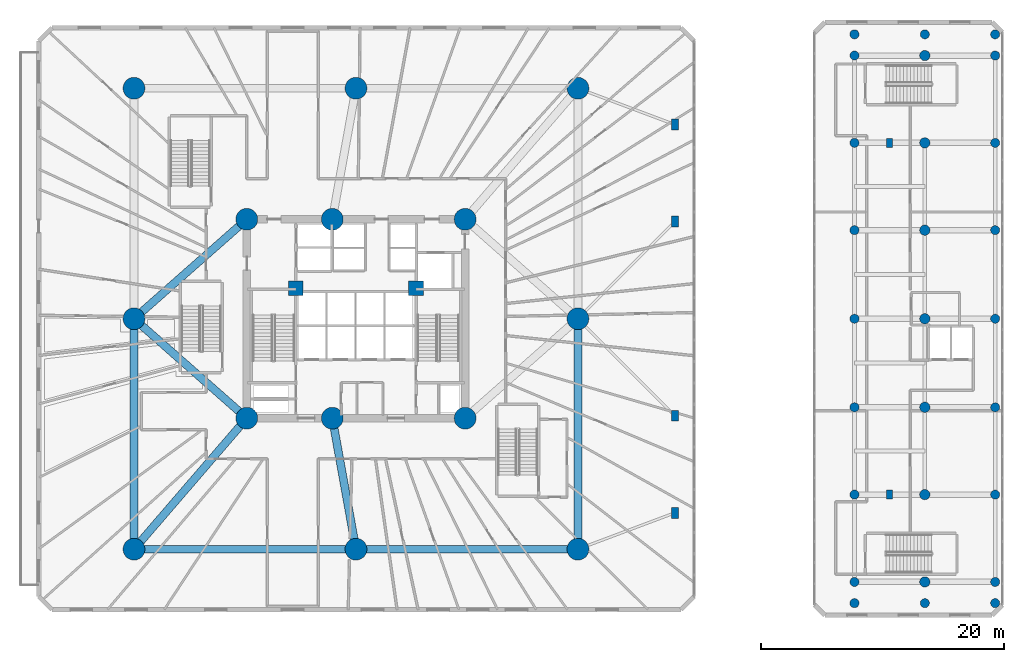
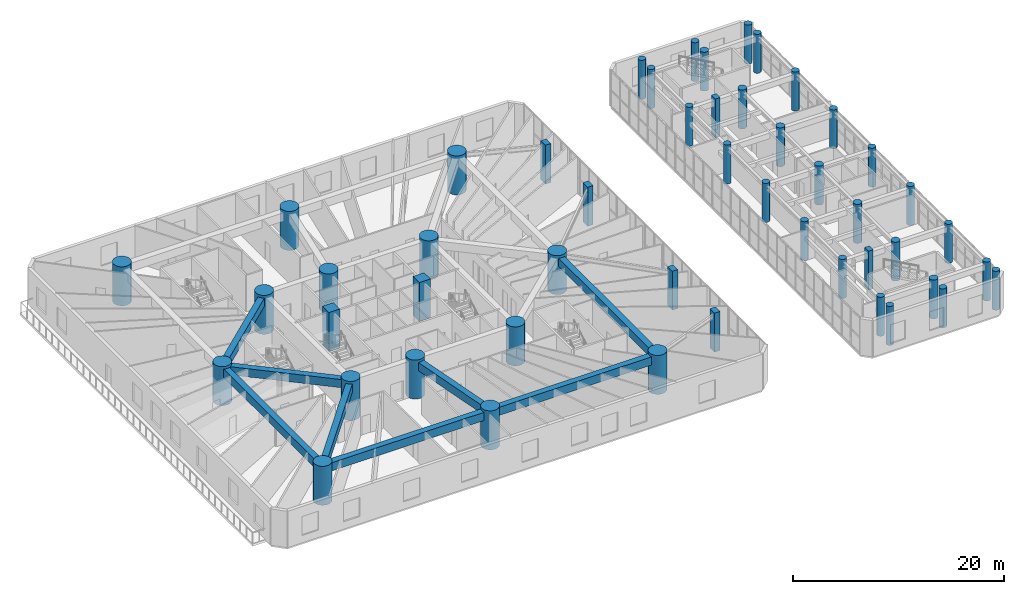
# One storey, part 1 of 26: 49 columns, 8 beams.
"""IFC4 building model written with IfcOpenShell, lengths in metres."""

from ifc_helpers import new_model, si_unit, direction, frame, origin, origin_with_axes, origin_2d, place, context, subcontext, project, spatial, rectangle, circle, extrude, source, transform, mapped, material, material_profile, profile_set, type_object, element, save


model = new_model("IFC4")

# Units and contexts
model_context = context("Model", 3, precision=1e-05, world=origin(), true_north=direction((0.0, 1.0)))
body_context = subcontext(model_context, "Body", "Model", "MODEL_VIEW")
ifc_project = project(units=[si_unit("LENGTHUNIT", "METRE"), si_unit("AREAUNIT", "SQUARE_METRE"), si_unit("VOLUMEUNIT", "CUBIC_METRE"), si_unit("PLANEANGLEUNIT", "RADIAN"), si_unit("MASSUNIT", "GRAM", prefix="KILO")], contexts=[model_context])

# Site, building, storey
site_placement = place(None, origin())
site = spatial("IfcSite", under=ifc_project, at=site_placement, CompositionType="ELEMENT")
building_placement = place(site_placement, origin())
building = spatial("IfcBuilding", under=site, at=building_placement, Name="Karkom Vertical University and Central Library", CompositionType="ELEMENT")
storey_placement = place(building_placement, frame((0.0, 0.0, 4.5)))
storey = spatial("IfcBuildingStorey", under=building, at=storey_placement, Name="L01", CompositionType="ELEMENT", Elevation=4.5)

# Columns
ifc_material_1 = material(Name="Concrete C40/50", Category="concrete")
ifc_material_profile_1 = material_profile(ifc_material_1, circle(Radius=0.375, at=origin_2d()), Name="RC-D750")
ifc_profile_set_1 = profile_set([ifc_material_profile_1], Name="Concrete C40/50")
column_type_1 = type_object("IfcColumnType", Name="STR-COL-C-LB2", PredefinedType="COLUMN", material=ifc_profile_set_1)
shared_shape_1 = source(origin_with_axes(), body_context, "Body", "SweptSolid", [
    extrude(circle(Radius=0.375, at=origin_2d()), origin(), (0.0, 0.0, 1.0), 4.5),
])
for number, where, z_axis, x_axis, name in (
    (1, (69.60009765625, 3.050048828125, 0.0), (0.0, 0.0, 1.0), (1.0, 0.0, 0.0), "Level 01 Library Vault End Column"),
    (2, (69.60009765625, 49.949951171875, 0.0), (0.0, 0.0, 1.0), (1.0, 0.0, 0.0), "Level 01 Library Vault End Column"),
    (3, (75.39990234375, 3.050048828125, 0.0), (0.0, 0.0, 1.0), (1.0, 0.0, 0.0), "Level 01 Library Vault End Column"),
    (4, (75.39990234375, 49.949951171875, 0.0), (0.0, 0.0, 1.0), (1.0, 0.0, 0.0), "Level 01 Library Vault End Column"),
    (5, (81.199951171875, 3.050048828125, 0.0), (0.0, 0.0, 1.0), (1.0, 0.0, 0.0), "Level 01 Library Vault End Column"),
    (6, (81.199951171875, 49.949951171875, 0.0), (0.0, 0.0, 1.0), (1.0, 0.0, 0.0), "Level 01 Library Vault End Column"),
    (7, (69.60009765625, 4.800048828125, 0.0), (0.0, 0.0, 1.0), (1.0, 0.0, 0.0), "Level 01 Central Library Column LC-1-1"),
    (8, (69.60009765625, 12.0, 0.0), (0.0, 0.0, 1.0), (1.0, 0.0, 0.0), "Level 01 Central Library Column LC-1-2"),
    (9, (69.60009765625, 19.199951171875, 0.0), (0.0, 0.0, 1.0), (1.0, 0.0, 0.0), "Level 01 Central Library Column LC-1-3"),
    (10, (69.60009765625, 26.5, 0.0), (0.0, 0.0, 1.0), (1.0, 0.0, 0.0), "Level 01 Central Library Column LC-1-4"),
    (11, (69.60009765625, 33.800048828125, 0.0), (0.0, 0.0, 1.0), (1.0, 0.0, 0.0), "Level 01 Central Library Column LC-1-5"),
    (12, (69.60009765625, 41.0, 0.0), (0.0, 0.0, 1.0), (1.0, 0.0, 0.0), "Level 01 Central Library Column LC-1-6"),
    (13, (69.60009765625, 48.199951171875, 0.0), (0.0, 0.0, 1.0), (1.0, 0.0, 0.0), "Level 01 Central Library Column LC-1-7"),
    (14, (81.199951171875, 4.800048828125, 0.0), (0.0, 0.0, 1.0), (1.0, 0.0, 0.0), "Level 01 Central Library Column LC-3-1"),
    (15, (81.199951171875, 12.0, 0.0), (0.0, 0.0, 1.0), (1.0, 0.0, 0.0), "Level 01 Central Library Column LC-3-2"),
    (16, (81.199951171875, 19.199951171875, 0.0), (0.0, 0.0, 1.0), (1.0, 0.0, 0.0), "Level 01 Central Library Column LC-3-3"),
    (17, (81.199951171875, 26.5, 0.0), (0.0, 0.0, 1.0), (1.0, 0.0, 0.0), "Level 01 Central Library Column LC-3-4"),
    (18, (81.199951171875, 33.800048828125, 0.0), (0.0, 0.0, 1.0), (1.0, 0.0, 0.0), "Level 01 Central Library Column LC-3-5"),
    (19, (81.199951171875, 41.0, 0.0), (0.0, 0.0, 1.0), (1.0, 0.0, 0.0), "Level 01 Central Library Column LC-3-6"),
    (20, (81.199951171875, 48.199951171875, 0.0), (0.0, 0.0, 1.0), (1.0, 0.0, 0.0), "Level 01 Central Library Column LC-3-7"),
):
    element("IfcColumn", number, at=place(storey_placement, frame(where, z_axis=z_axis, x_axis=x_axis)), inside=storey, type_object=column_type_1, Name=name, PredefinedType="COLUMN", context=body_context, shape_type="MappedRepresentation", body=[
        mapped(shared_shape_1, transform((0.0, 0.0, 0.0), scale=1.0)),
    ])
ifc_material_2 = material(Name="Concrete C50/60", Category="concrete")
ifc_material_profile_2 = material_profile(ifc_material_2, circle(Radius=0.89990234375, at=origin_2d()), Name="CFT-D1800")
ifc_profile_set_2 = profile_set([ifc_material_profile_2], Name="Concrete C50/60")
column_type_2 = type_object("IfcColumnType", Name="STR-COL-C-SC1", PredefinedType="COLUMN", material=ifc_profile_set_2)
shared_shape_2 = source(origin_with_axes(), body_context, "Body", "SweptSolid", [
    extrude(circle(Radius=0.89990234375, at=origin_2d()), origin(), (0.0, 0.0, 1.0), 4.5),
])
for number, where, z_axis, x_axis, name in (
    (21, (19.5, 18.300048828125, 0.0), (0.0, 0.0, 1.0), (1.0, 0.0, 0.0), "Level 01 Spine Mega-Column SC-1"),
    (22, (26.550048828125, 18.300048828125, 0.0), (0.0, 0.0, 1.0), (1.0, 0.0, 0.0), "Level 01 Spine Mega-Column SC-2"),
    (23, (37.5, 18.300048828125, 0.0), (0.0, 0.0, 1.0), (1.0, 0.0, 0.0), "Level 01 Spine Mega-Column SC-3"),
    (24, (19.5, 34.699951171875, 0.0), (0.0, 0.0, 1.0), (1.0, 0.0, 0.0), "Level 01 Spine Mega-Column SC-4"),
    (25, (26.550048828125, 34.699951171875, 0.0), (0.0, 0.0, 1.0), (1.0, 0.0, 0.0), "Level 01 Spine Mega-Column SC-5"),
    (26, (37.5, 34.699951171875, 0.0), (0.0, 0.0, 1.0), (1.0, 0.0, 0.0), "Level 01 Spine Mega-Column SC-6"),
    (27, (10.199951171875, 7.5, 0.0), (0.0, 0.0, 1.0), (1.0, 0.0, 0.0), "Level 01 Podium Mega-Column PMC-1"),
    (28, (28.5, 7.5, 0.0), (0.0, 0.0, 1.0), (1.0, 0.0, 0.0), "Level 01 Podium Mega-Column PMC-2"),
    (29, (46.800048828125, 7.5, 0.0), (0.0, 0.0, 1.0), (1.0, 0.0, 0.0), "Level 01 Podium Mega-Column PMC-3"),
    (30, (10.199951171875, 26.5, 0.0), (0.0, 0.0, 1.0), (1.0, 0.0, 0.0), "Level 01 Podium Mega-Column PMC-4"),
    (31, (46.800048828125, 26.5, 0.0), (0.0, 0.0, 1.0), (1.0, 0.0, 0.0), "Level 01 Podium Mega-Column PMC-5"),
    (32, (10.199951171875, 45.5, 0.0), (0.0, 0.0, 1.0), (1.0, 0.0, 0.0), "Level 01 Podium Mega-Column PMC-6"),
    (33, (28.5, 45.5, 0.0), (0.0, 0.0, 1.0), (1.0, 0.0, 0.0), "Level 01 Podium Mega-Column PMC-7"),
    (34, (46.800048828125, 45.5, 0.0), (0.0, 0.0, 1.0), (1.0, 0.0, 0.0), "Level 01 Podium Mega-Column PMC-8"),
):
    element("IfcColumn", number, at=place(storey_placement, frame(where, z_axis=z_axis, x_axis=x_axis)), inside=storey, type_object=column_type_2, Name=name, PredefinedType="COLUMN", context=body_context, shape_type="MappedRepresentation", body=[
        mapped(shared_shape_2, transform((0.0, 0.0, 0.0), scale=1.0)),
    ])
ifc_material_profile_3 = material_profile(ifc_material_2, rectangle(XDim=1.199951171875, YDim=1.199951171875, at=origin_2d()), Name="RC-1200x1200")
ifc_profile_set_3 = profile_set([ifc_material_profile_3], Name="Concrete C50/60")
column_type_3 = type_object("IfcColumnType", Name="STR-COL-C-CC1", PredefinedType="COLUMN", material=ifc_profile_set_3)
shared_shape_3 = source(origin_with_axes(), body_context, "Body", "SweptSolid", [
    extrude(rectangle(XDim=1.199951171875, YDim=1.199951171875, at=origin_2d()), origin(), (0.0, 0.0, 1.0), 4.5),
])
for number, where, z_axis, x_axis, name in (
    (35, (23.550048828125, 29.0, 0.0), (0.0, 0.0, 1.0), (1.0, 0.0, 0.0), "Level 01 Core Node Column CC-1"),
    (36, (33.449951171875, 29.0, 0.0), (0.0, 0.0, 1.0), (1.0, 0.0, 0.0), "Level 01 Core Node Column CC-2"),
):
    element("IfcColumn", number, at=place(storey_placement, frame(where, z_axis=z_axis, x_axis=x_axis)), inside=storey, type_object=column_type_3, Name=name, PredefinedType="COLUMN", context=body_context, shape_type="MappedRepresentation", body=[
        mapped(shared_shape_3, transform((0.0, 0.0, 0.0), scale=1.0)),
    ])
ifc_material_3 = material(Name="Precast concrete C45/55", Category="concrete")
ifc_material_profile_4 = material_profile(ifc_material_3, rectangle(XDim=0.60009765625, YDim=0.89990234375, at=origin_2d()), Name="PIL-600x900")
ifc_profile_set_4 = profile_set([ifc_material_profile_4], Name="Precast concrete C45/55")
column_type_4 = type_object("IfcColumnType", Name="STR-COL-PL-ARC1", PredefinedType="PILASTER", material=ifc_profile_set_4)
shared_shape_4 = source(origin_with_axes(), body_context, "Body", "SweptSolid", [
    extrude(rectangle(XDim=0.60009765625, YDim=0.89990234375, at=origin_2d()), origin(), (0.0, 0.0, 1.0), 4.5),
])
for number, where, z_axis, x_axis, name in (
    (37, (54.800048828125, 10.5, 0.0), (0.0, 0.0, 1.0), (1.0, 0.0, 0.0), "Level 01 Podium Arcade Pilaster PIL-1"),
    (38, (54.800048828125, 18.5, 0.0), (0.0, 0.0, 1.0), (1.0, 0.0, 0.0), "Level 01 Podium Arcade Pilaster PIL-2"),
    (39, (54.800048828125, 34.5, 0.0), (0.0, 0.0, 1.0), (1.0, 0.0, 0.0), "Level 01 Podium Arcade Pilaster PIL-3"),
    (40, (54.800048828125, 42.5, 0.0), (0.0, 0.0, 1.0), (1.0, 0.0, 0.0), "Level 01 Podium Arcade Pilaster PIL-4"),
):
    element("IfcColumn", number, at=place(storey_placement, frame(where, z_axis=z_axis, x_axis=x_axis)), inside=storey, type_object=column_type_4, Name=name, PredefinedType="PILASTER", context=body_context, shape_type="MappedRepresentation", body=[
        mapped(shared_shape_4, transform((0.0, 0.0, 0.0), scale=1.0)),
    ])
ifc_material_4 = material(Name="Concrete C45/55", Category="concrete")
ifc_material_profile_5 = material_profile(ifc_material_4, circle(Radius=0.425048828125, at=origin_2d()), Name="RC-D850")
ifc_profile_set_5 = profile_set([ifc_material_profile_5], Name="Concrete C45/55")
column_type_5 = type_object("IfcColumnType", Name="STR-COL-C-LB1", PredefinedType="COLUMN", material=ifc_profile_set_5)
shared_shape_5 = source(origin_with_axes(), body_context, "Body", "SweptSolid", [
    extrude(circle(Radius=0.425048828125, at=origin_2d()), origin(), (0.0, 0.0, 1.0), 4.5),
])
for number, where, z_axis, x_axis, name in (
    (41, (75.39990234375, 4.800048828125, 0.0), (0.0, 0.0, 1.0), (1.0, 0.0, 0.0), "Level 01 Central Library Column LC-2-1"),
    (42, (75.39990234375, 12.0, 0.0), (0.0, 0.0, 1.0), (1.0, 0.0, 0.0), "Level 01 Central Library Column LC-2-2"),
    (43, (75.39990234375, 19.199951171875, 0.0), (0.0, 0.0, 1.0), (1.0, 0.0, 0.0), "Level 01 Central Library Column LC-2-3"),
    (44, (75.39990234375, 26.5, 0.0), (0.0, 0.0, 1.0), (1.0, 0.0, 0.0), "Level 01 Central Library Column LC-2-4"),
    (45, (75.39990234375, 33.800048828125, 0.0), (0.0, 0.0, 1.0), (1.0, 0.0, 0.0), "Level 01 Central Library Column LC-2-5"),
    (46, (75.39990234375, 41.0, 0.0), (0.0, 0.0, 1.0), (1.0, 0.0, 0.0), "Level 01 Central Library Column LC-2-6"),
    (47, (75.39990234375, 48.199951171875, 0.0), (0.0, 0.0, 1.0), (1.0, 0.0, 0.0), "Level 01 Central Library Column LC-2-7"),
):
    element("IfcColumn", number, at=place(storey_placement, frame(where, z_axis=z_axis, x_axis=x_axis)), inside=storey, type_object=column_type_5, Name=name, PredefinedType="COLUMN", context=body_context, shape_type="MappedRepresentation", body=[
        mapped(shared_shape_5, transform((0.0, 0.0, 0.0), scale=1.0)),
    ])
ifc_material_profile_6 = material_profile(ifc_material_3, rectangle(XDim=0.5, YDim=0.75, at=origin_2d()), Name="PIL-500x750")
ifc_profile_set_6 = profile_set([ifc_material_profile_6], Name="Precast concrete C45/55")
column_type_6 = type_object("IfcColumnType", Name="STR-COL-PL-SKG1", PredefinedType="PILASTER", material=ifc_profile_set_6)
shared_shape_6 = source(origin_with_axes(), body_context, "Body", "SweptSolid", [
    extrude(rectangle(XDim=0.5, YDim=0.75, at=origin_2d()), origin(), (0.0, 0.0, 1.0), 4.5),
])
for number, where, z_axis, x_axis, name in (
    (48, (72.5, 12.0, 0.0), (0.0, 0.0, 1.0), (1.0, 0.0, 0.0), "Level 01 Library Reading Hall Pier Pilaster 1"),
    (49, (72.5, 41.0, 0.0), (0.0, 0.0, 1.0), (1.0, 0.0, 0.0), "Level 01 Library Reading Hall Pier Pilaster 2"),
):
    element("IfcColumn", number, at=place(storey_placement, frame(where, z_axis=z_axis, x_axis=x_axis)), inside=storey, type_object=column_type_6, Name=name, PredefinedType="PILASTER", context=body_context, shape_type="MappedRepresentation", body=[
        mapped(shared_shape_6, transform((0.0, 0.0, 0.0), scale=1.0)),
    ])

# Beams
ifc_material_profile_7 = material_profile(ifc_material_2, rectangle(XDim=0.64990234375, YDim=0.949951171875, at=origin_2d()), Name="RCG-650x950")
ifc_profile_set_7 = profile_set([ifc_material_profile_7], Name="Concrete C50/60")
beam_type = type_object("IfcBeamType", Name="STR-BM-BG-1", PredefinedType="USERDEFINED", material=ifc_profile_set_7)
shared_shape_7 = source(origin_with_axes(), body_context, "Body", "SweptSolid", [
    extrude(rectangle(XDim=0.64990234375, YDim=0.949951171875, at=origin_2d()), origin(), (0.0, 0.0, 1.0), 18.300048828125),
])
for number, where, z_axis, x_axis, name in (
    (50, (10.199951171875, 7.5, 3.72509765625), (1.0, 0.0, 0.0), (0.0, 1.0, 0.0), "Level 01 Podium Primary Girder 01"),
    (51, (28.5, 7.5, 3.72509765625), (1.0, 0.0, 0.0), (0.0, 1.0, 0.0), "Level 01 Podium Primary Girder 02"),
):
    element("IfcBeam", number, at=place(storey_placement, frame(where, z_axis=z_axis, x_axis=x_axis)), inside=storey, type_object=beam_type, Name=name, ObjectType="GIRDER", PredefinedType="USERDEFINED", context=body_context, shape_type="MappedRepresentation", body=[
        mapped(shared_shape_7, transform((0.0, 0.0, 0.0), scale=1.0)),
    ])
shared_shape_8 = source(origin_with_axes(), body_context, "Body", "SweptSolid", [
    extrude(rectangle(XDim=0.64990234375, YDim=0.949951171875, at=origin_2d()), origin(), (0.0, 0.0, 1.0), 19.0),
])
for number, where, z_axis, x_axis, name in (
    (52, (10.199951171875, 7.5, 3.72509765625), (0.0, 1.0, 0.0), (-1.0, 0.0, 0.0), "Level 01 Podium Primary Girder 03"),
    (53, (46.800048828125, 7.5, 3.72509765625), (0.0, 1.0, 0.0), (-1.0, 0.0, 0.0), "Level 01 Podium Primary Girder 05"),
):
    element("IfcBeam", number, at=place(storey_placement, frame(where, z_axis=z_axis, x_axis=x_axis)), inside=storey, type_object=beam_type, Name=name, ObjectType="GIRDER", PredefinedType="USERDEFINED", context=body_context, shape_type="MappedRepresentation", body=[
        mapped(shared_shape_8, transform((0.0, 0.0, 0.0), scale=1.0)),
    ])
shared_shape_9 = source(origin_with_axes(), body_context, "Body", "SweptSolid", [
    extrude(rectangle(XDim=0.64990234375, YDim=0.949951171875, at=origin_2d()), origin(), (0.0, 0.0, 1.0), 14.25244140625),
])
beam_1_placement = place(storey_placement, frame((10.199951171875, 7.5, 3.72509765625), z_axis=(0.652523408586, 0.757768567076, 0.0), x_axis=(-0.757768567076, 0.652523408586, 0.0)))
element("IfcBeam", 54, at=beam_1_placement, inside=storey, type_object=beam_type, Name="Level 01 Podium Primary Girder 09", ObjectType="GIRDER", PredefinedType="USERDEFINED", context=body_context, shape_type="MappedRepresentation", body=[
    mapped(shared_shape_9, transform((0.0, 0.0, 0.0), scale=1.0)),
])
shared_shape_10 = source(origin_with_axes(), body_context, "Body", "SweptSolid", [
    extrude(rectangle(XDim=0.64990234375, YDim=0.949951171875, at=origin_2d()), origin(), (0.0, 0.0, 1.0), 10.974609375),
])
beam_2_placement = place(storey_placement, frame((28.5, 7.5, 3.72509765625), z_axis=(-0.177677443813, 0.984088779511, 0.0), x_axis=(-0.984088779511, -0.177677443813, 0.0)))
element("IfcBeam", 55, at=beam_2_placement, inside=storey, type_object=beam_type, Name="Level 01 Podium Primary Girder 10", ObjectType="GIRDER", PredefinedType="USERDEFINED", context=body_context, shape_type="MappedRepresentation", body=[
    mapped(shared_shape_10, transform((0.0, 0.0, 0.0), scale=1.0)),
])
shared_shape_11 = source(origin_with_axes(), body_context, "Body", "SweptSolid", [
    extrude(rectangle(XDim=0.64990234375, YDim=0.949951171875, at=origin_2d()), origin(), (0.0, 0.0, 1.0), 12.398681640625),
])
for number, where, z_axis, x_axis, name in (
    (56, (10.199951171875, 26.5, 3.72509765625), (0.75007685274, -0.661350674743, 0.0), (0.661350674743, 0.75007685274, 0.0), "Level 01 Podium Primary Girder 15"),
    (57, (10.199951171875, 26.5, 3.72509765625), (0.75007685274, 0.661350674743, 0.0), (-0.661350674743, 0.75007685274, 0.0), "Level 01 Podium Primary Girder 16"),
):
    element("IfcBeam", number, at=place(storey_placement, frame(where, z_axis=z_axis, x_axis=x_axis)), inside=storey, type_object=beam_type, Name=name, ObjectType="GIRDER", PredefinedType="USERDEFINED", context=body_context, shape_type="MappedRepresentation", body=[
        mapped(shared_shape_11, transform((0.0, 0.0, 0.0), scale=1.0)),
    ])

save(model, "model.ifc")
